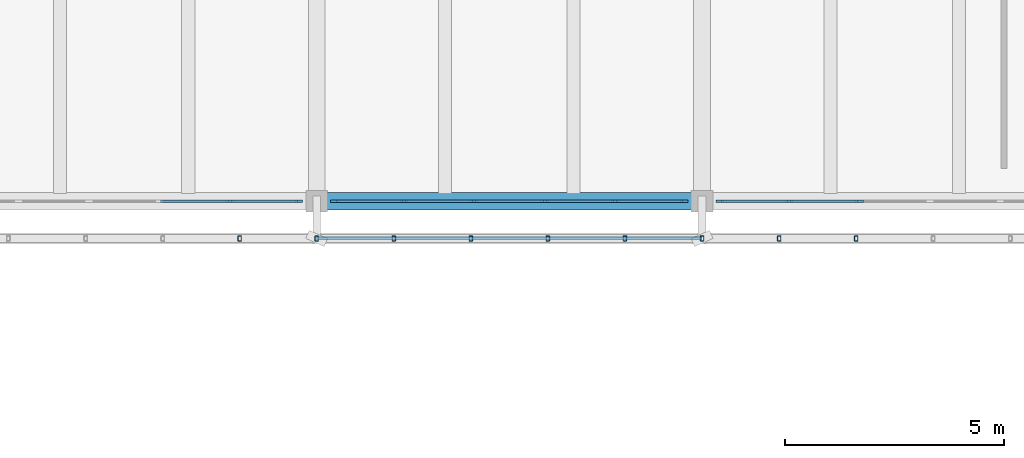
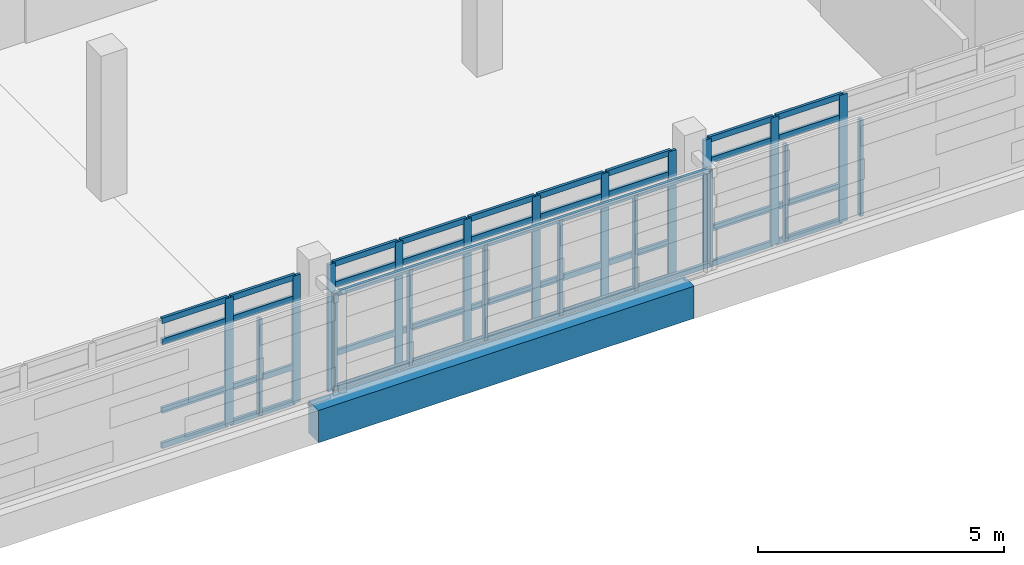
# One storey, part 15 of 50: 58 members, 1 beam, 3 elements without a shape of their own.
"""IFC4 building model written with IfcOpenShell, lengths in metres."""

from ifc_helpers import new_model, si_unit, direction, frame, origin, origin_2d, place, context, subcontext, project, spatial, rectangle, hollow_rectangle, extrude, material, material_profile, profile_set, type_object, element, aggregate, save


model = new_model("IFC4")

# Units and contexts
model_context = context("Model", 3, precision=1e-05, world=origin(), true_north=direction((0.0, 1.0)))
body_context = subcontext(model_context, "Body", "Model", "MODEL_VIEW")
ifc_project = project(units=[si_unit("LENGTHUNIT", "METRE"), si_unit("AREAUNIT", "SQUARE_METRE"), si_unit("VOLUMEUNIT", "CUBIC_METRE"), si_unit("PLANEANGLEUNIT", "RADIAN"), si_unit("MASSUNIT", "GRAM", prefix="KILO")], contexts=[model_context])

# Site, building, storey
site_placement = place(None, origin())
site = spatial("IfcSite", under=ifc_project, at=site_placement, CompositionType="ELEMENT")
building_placement = place(site_placement, origin())
building = spatial("IfcBuilding", under=site, at=building_placement, Name="Cinderway Yard Community Centre", CompositionType="ELEMENT")
storey_placement = place(building_placement, frame((0.0, 0.0, 12.89990234375)))
storey = spatial("IfcBuildingStorey", under=building, at=storey_placement, Name="L03", CompositionType="ELEMENT", Elevation=12.89990234375)

# Curtain wall, members
ifc_material_1 = material(Name="Aluminium 6063-T6", Category="aluminium")
curtain_wall_type = type_object("IfcCurtainWallType", Name="ENV-CW-TYPE-33", PredefinedType="USERDEFINED", material=ifc_material_1)
curtain_wall_1_placement = place(storey_placement, origin())
curtain_wall_1 = element("IfcCurtainWall", 1, at=curtain_wall_1_placement, inside=storey, type_object=curtain_wall_type, Name="V4 Courtyard Curtain Wall ENV-CW-L03-HS-0167", ObjectType="GLAZED CURTAIN WALL", PredefinedType="USERDEFINED")
ifc_material_profile_1 = material_profile(ifc_material_1, rectangle(XDim=0.06494140625, YDim=0.179931640625, at=origin_2d()), Name="Aluminium 6063-T6")
ifc_profile_set_1 = profile_set([ifc_material_profile_1], Name="Aluminium 6063-T6")
member_type_1 = type_object("IfcMemberType", Name="ENV-CW-MULL-180", PredefinedType="MULLION", material=ifc_profile_set_1)
member_1_placement = place(storey_placement, frame((90.81201171875, 90.0, 0.0), z_axis=(0.0, 0.0, 1.0), x_axis=(0.0, 1.0, 0.0)))
member_1 = element("IfcMember", 2, at=member_1_placement, type_object=member_type_1, Name="CW-33 mullion 5", PredefinedType="MULLION", context=body_context, shape_type="SweptSolid", body=[
    extrude(rectangle(XDim=0.06494140625, YDim=0.179931640625, at=origin_2d()), origin(), (0.0, 0.0, 1.0), 3.150146484375),
])
member_2_placement = place(storey_placement, frame((92.389892578125, 90.0, 0.0), z_axis=(0.0, 0.0, 1.0), x_axis=(0.0, 1.0, 0.0)))
member_2 = element("IfcMember", 3, at=member_2_placement, type_object=member_type_1, Name="CW-33 mullion 6", PredefinedType="MULLION", context=body_context, shape_type="SweptSolid", body=[
    extrude(rectangle(XDim=0.06494140625, YDim=0.179931640625, at=origin_2d()), origin(), (0.0, 0.0, 1.0), 3.150146484375),
])

curtain_wall_2_placement = place(storey_placement, origin())
curtain_wall_2 = element("IfcCurtainWall", 4, at=curtain_wall_2_placement, inside=storey, type_object=curtain_wall_type, Name="V4 Courtyard Curtain Wall ENV-CW-L03-HS-0168", ObjectType="GLAZED CURTAIN WALL", PredefinedType="USERDEFINED")
member_3_placement = place(storey_placement, frame((93.2099609375, 90.0, 0.0), z_axis=(0.0, 0.0, 1.0), x_axis=(0.0, 1.0, 0.0)))
member_3 = element("IfcMember", 5, at=member_3_placement, type_object=member_type_1, Name="CW-33 mullion 1", PredefinedType="MULLION", context=body_context, shape_type="SweptSolid", body=[
    extrude(rectangle(XDim=0.06494140625, YDim=0.179931640625, at=origin_2d()), origin(), (0.0, 0.0, 1.0), 3.150146484375),
])
member_4_placement = place(storey_placement, frame((94.7880859375, 90.0, 0.0), z_axis=(0.0, 0.0, 1.0), x_axis=(0.0, 1.0, 0.0)))
member_4 = element("IfcMember", 6, at=member_4_placement, type_object=member_type_1, Name="CW-33 mullion 2", PredefinedType="MULLION", context=body_context, shape_type="SweptSolid", body=[
    extrude(rectangle(XDim=0.06494140625, YDim=0.179931640625, at=origin_2d()), origin(), (0.0, 0.0, 1.0), 3.150146484375),
])
member_5_placement = place(storey_placement, frame((96.39599609375, 90.0, 0.0), z_axis=(0.0, 0.0, 1.0), x_axis=(0.0, 1.0, 0.0)))
member_5 = element("IfcMember", 7, at=member_5_placement, type_object=member_type_1, Name="CW-33 mullion 3", PredefinedType="MULLION", context=body_context, shape_type="SweptSolid", body=[
    extrude(rectangle(XDim=0.06494140625, YDim=0.179931640625, at=origin_2d()), origin(), (0.0, 0.0, 1.0), 3.150146484375),
])
member_6_placement = place(storey_placement, frame((98.00390625, 90.0, 0.0), z_axis=(0.0, 0.0, 1.0), x_axis=(0.0, 1.0, 0.0)))
member_6 = element("IfcMember", 8, at=member_6_placement, type_object=member_type_1, Name="CW-33 mullion 4", PredefinedType="MULLION", context=body_context, shape_type="SweptSolid", body=[
    extrude(rectangle(XDim=0.06494140625, YDim=0.179931640625, at=origin_2d()), origin(), (0.0, 0.0, 1.0), 3.150146484375),
])
member_7_placement = place(storey_placement, frame((99.612060546875, 90.0, 0.0), z_axis=(0.0, 0.0, 1.0), x_axis=(0.0, 1.0, 0.0)))
member_7 = element("IfcMember", 9, at=member_7_placement, type_object=member_type_1, Name="CW-33 mullion 5", PredefinedType="MULLION", context=body_context, shape_type="SweptSolid", body=[
    extrude(rectangle(XDim=0.06494140625, YDim=0.179931640625, at=origin_2d()), origin(), (0.0, 0.0, 1.0), 3.150146484375),
])
member_8_placement = place(storey_placement, frame((101.18994140625, 90.0, 0.0), z_axis=(0.0, 0.0, 1.0), x_axis=(0.0, 1.0, 0.0)))
member_8 = element("IfcMember", 10, at=member_8_placement, type_object=member_type_1, Name="CW-33 mullion 6", PredefinedType="MULLION", context=body_context, shape_type="SweptSolid", body=[
    extrude(rectangle(XDim=0.06494140625, YDim=0.179931640625, at=origin_2d()), origin(), (0.0, 0.0, 1.0), 3.150146484375),
])

curtain_wall_3_placement = place(storey_placement, origin())
curtain_wall_3 = element("IfcCurtainWall", 11, at=curtain_wall_3_placement, inside=storey, type_object=curtain_wall_type, Name="V4 Courtyard Curtain Wall ENV-CW-L03-HS-0170", ObjectType="GLAZED CURTAIN WALL", PredefinedType="USERDEFINED")
member_9_placement = place(storey_placement, frame((102.010009765625, 90.0, 0.0), z_axis=(0.0, 0.0, 1.0), x_axis=(0.0, 1.0, 0.0)))
member_9 = element("IfcMember", 12, at=member_9_placement, type_object=member_type_1, Name="CW-33 mullion 1", PredefinedType="MULLION", context=body_context, shape_type="SweptSolid", body=[
    extrude(rectangle(XDim=0.06494140625, YDim=0.179931640625, at=origin_2d()), origin(), (0.0, 0.0, 1.0), 3.150146484375),
])
member_10_placement = place(storey_placement, frame((103.587890625, 90.0, 0.0), z_axis=(0.0, 0.0, 1.0), x_axis=(0.0, 1.0, 0.0)))
member_10 = element("IfcMember", 13, at=member_10_placement, type_object=member_type_1, Name="CW-33 mullion 2", PredefinedType="MULLION", context=body_context, shape_type="SweptSolid", body=[
    extrude(rectangle(XDim=0.06494140625, YDim=0.179931640625, at=origin_2d()), origin(), (0.0, 0.0, 1.0), 3.150146484375),
])
member_11_placement = place(storey_placement, frame((105.196044921875, 90.0, 0.0), z_axis=(0.0, 0.0, 1.0), x_axis=(0.0, 1.0, 0.0)))
member_11 = element("IfcMember", 14, at=member_11_placement, type_object=member_type_1, Name="CW-33 mullion 3", PredefinedType="MULLION", context=body_context, shape_type="SweptSolid", body=[
    extrude(rectangle(XDim=0.06494140625, YDim=0.179931640625, at=origin_2d()), origin(), (0.0, 0.0, 1.0), 3.150146484375),
])

# Member
ifc_material_profile_2 = material_profile(ifc_material_1, rectangle(XDim=0.06494140625, YDim=0.139892578125, at=origin_2d()), Name="Aluminium 6063-T6")
ifc_profile_set_2 = profile_set([ifc_material_profile_2], Name="Aluminium 6063-T6")
member_type_2 = type_object("IfcMemberType", Name="ENV-CW-TRAN-140", PredefinedType="USERDEFINED", material=ifc_profile_set_2)
member_12_placement = place(storey_placement, frame((89.23388671875, 90.0, 0.030029296875), z_axis=(1.0, 0.0, 0.0), x_axis=(0.0, 1.0, 0.0)))
member_12 = element("IfcMember", 15, at=member_12_placement, type_object=member_type_2, Name="CW-33 transom 4.1", ObjectType="TRANSOM", PredefinedType="USERDEFINED", context=body_context, shape_type="SweptSolid", body=[
    extrude(rectangle(XDim=0.06494140625, YDim=0.139892578125, at=origin_2d()), origin(), (0.0, 0.0, 1.0), 1.548095703125),
])

member_13_placement = place(storey_placement, frame((89.23388671875, 90.0, 0.900146484375), z_axis=(1.0, 0.0, 0.0), x_axis=(0.0, 1.0, 0.0)))
member_13 = element("IfcMember", 16, at=member_13_placement, type_object=member_type_2, Name="CW-33 transom 4.2", ObjectType="TRANSOM", PredefinedType="USERDEFINED", context=body_context, shape_type="SweptSolid", body=[
    extrude(rectangle(XDim=0.06494140625, YDim=0.139892578125, at=origin_2d()), origin(), (0.0, 0.0, 1.0), 1.548095703125),
])

member_14_placement = place(storey_placement, frame((89.23388671875, 90.0, 2.60009765625), z_axis=(1.0, 0.0, 0.0), x_axis=(0.0, 1.0, 0.0)))
member_14 = element("IfcMember", 17, at=member_14_placement, type_object=member_type_2, Name="CW-33 transom 4.3", ObjectType="TRANSOM", PredefinedType="USERDEFINED", context=body_context, shape_type="SweptSolid", body=[
    extrude(rectangle(XDim=0.06494140625, YDim=0.139892578125, at=origin_2d()), origin(), (0.0, 0.0, 1.0), 1.548095703125),
])

member_15_placement = place(storey_placement, frame((89.23388671875, 90.0, 3.1201171875), z_axis=(1.0, 0.0, 0.0), x_axis=(0.0, 1.0, 0.0)))
member_15 = element("IfcMember", 18, at=member_15_placement, type_object=member_type_2, Name="CW-33 transom 4.4", ObjectType="TRANSOM", PredefinedType="USERDEFINED", context=body_context, shape_type="SweptSolid", body=[
    extrude(rectangle(XDim=0.06494140625, YDim=0.139892578125, at=origin_2d()), origin(), (0.0, 0.0, 1.0), 1.548095703125),
])

member_16_placement = place(storey_placement, frame((90.842041015625, 90.0, 0.030029296875), z_axis=(1.0, 0.0, 0.0), x_axis=(0.0, 1.0, 0.0)))
member_16 = element("IfcMember", 19, at=member_16_placement, type_object=member_type_2, Name="CW-33 transom 5.1", ObjectType="TRANSOM", PredefinedType="USERDEFINED", context=body_context, shape_type="SweptSolid", body=[
    extrude(rectangle(XDim=0.06494140625, YDim=0.139892578125, at=origin_2d()), origin(), (0.0, 0.0, 1.0), 1.51806640625),
])

member_17_placement = place(storey_placement, frame((90.842041015625, 90.0, 0.900146484375), z_axis=(1.0, 0.0, 0.0), x_axis=(0.0, 1.0, 0.0)))
member_17 = element("IfcMember", 20, at=member_17_placement, type_object=member_type_2, Name="CW-33 transom 5.2", ObjectType="TRANSOM", PredefinedType="USERDEFINED", context=body_context, shape_type="SweptSolid", body=[
    extrude(rectangle(XDim=0.06494140625, YDim=0.139892578125, at=origin_2d()), origin(), (0.0, 0.0, 1.0), 1.51806640625),
])

member_18_placement = place(storey_placement, frame((90.842041015625, 90.0, 2.60009765625), z_axis=(1.0, 0.0, 0.0), x_axis=(0.0, 1.0, 0.0)))
member_18 = element("IfcMember", 21, at=member_18_placement, type_object=member_type_2, Name="CW-33 transom 5.3", ObjectType="TRANSOM", PredefinedType="USERDEFINED", context=body_context, shape_type="SweptSolid", body=[
    extrude(rectangle(XDim=0.06494140625, YDim=0.139892578125, at=origin_2d()), origin(), (0.0, 0.0, 1.0), 1.51806640625),
])

member_19_placement = place(storey_placement, frame((90.842041015625, 90.0, 3.1201171875), z_axis=(1.0, 0.0, 0.0), x_axis=(0.0, 1.0, 0.0)))
member_19 = element("IfcMember", 22, at=member_19_placement, type_object=member_type_2, Name="CW-33 transom 5.4", ObjectType="TRANSOM", PredefinedType="USERDEFINED", context=body_context, shape_type="SweptSolid", body=[
    extrude(rectangle(XDim=0.06494140625, YDim=0.139892578125, at=origin_2d()), origin(), (0.0, 0.0, 1.0), 1.51806640625),
])

aggregate(curtain_wall_1, [member_1, member_2, member_12, member_13, member_14, member_15, member_16, member_17, member_18, member_19])

member_20_placement = place(storey_placement, frame((93.239990234375, 90.0, 0.030029296875), z_axis=(1.0, 0.0, 0.0), x_axis=(0.0, 1.0, 0.0)))
member_20 = element("IfcMember", 23, at=member_20_placement, type_object=member_type_2, Name="CW-33 transom 1.1", ObjectType="TRANSOM", PredefinedType="USERDEFINED", context=body_context, shape_type="SweptSolid", body=[
    extrude(rectangle(XDim=0.06494140625, YDim=0.139892578125, at=origin_2d()), origin(), (0.0, 0.0, 1.0), 1.51806640625),
])

member_21_placement = place(storey_placement, frame((93.239990234375, 90.0, 0.900146484375), z_axis=(1.0, 0.0, 0.0), x_axis=(0.0, 1.0, 0.0)))
member_21 = element("IfcMember", 24, at=member_21_placement, type_object=member_type_2, Name="CW-33 transom 1.2", ObjectType="TRANSOM", PredefinedType="USERDEFINED", context=body_context, shape_type="SweptSolid", body=[
    extrude(rectangle(XDim=0.06494140625, YDim=0.139892578125, at=origin_2d()), origin(), (0.0, 0.0, 1.0), 1.51806640625),
])

member_22_placement = place(storey_placement, frame((93.239990234375, 90.0, 2.60009765625), z_axis=(1.0, 0.0, 0.0), x_axis=(0.0, 1.0, 0.0)))
member_22 = element("IfcMember", 25, at=member_22_placement, type_object=member_type_2, Name="CW-33 transom 1.3", ObjectType="TRANSOM", PredefinedType="USERDEFINED", context=body_context, shape_type="SweptSolid", body=[
    extrude(rectangle(XDim=0.06494140625, YDim=0.139892578125, at=origin_2d()), origin(), (0.0, 0.0, 1.0), 1.51806640625),
])

member_23_placement = place(storey_placement, frame((93.239990234375, 90.0, 3.1201171875), z_axis=(1.0, 0.0, 0.0), x_axis=(0.0, 1.0, 0.0)))
member_23 = element("IfcMember", 26, at=member_23_placement, type_object=member_type_2, Name="CW-33 transom 1.4", ObjectType="TRANSOM", PredefinedType="USERDEFINED", context=body_context, shape_type="SweptSolid", body=[
    extrude(rectangle(XDim=0.06494140625, YDim=0.139892578125, at=origin_2d()), origin(), (0.0, 0.0, 1.0), 1.51806640625),
])

member_24_placement = place(storey_placement, frame((94.818115234375, 90.0, 0.030029296875), z_axis=(1.0, 0.0, 0.0), x_axis=(0.0, 1.0, 0.0)))
member_24 = element("IfcMember", 27, at=member_24_placement, type_object=member_type_2, Name="CW-33 transom 2.1", ObjectType="TRANSOM", PredefinedType="USERDEFINED", context=body_context, shape_type="SweptSolid", body=[
    extrude(rectangle(XDim=0.06494140625, YDim=0.139892578125, at=origin_2d()), origin(), (0.0, 0.0, 1.0), 1.5478515625),
])

member_25_placement = place(storey_placement, frame((94.818115234375, 90.0, 0.900146484375), z_axis=(1.0, 0.0, 0.0), x_axis=(0.0, 1.0, 0.0)))
member_25 = element("IfcMember", 28, at=member_25_placement, type_object=member_type_2, Name="CW-33 transom 2.2", ObjectType="TRANSOM", PredefinedType="USERDEFINED", context=body_context, shape_type="SweptSolid", body=[
    extrude(rectangle(XDim=0.06494140625, YDim=0.139892578125, at=origin_2d()), origin(), (0.0, 0.0, 1.0), 1.5478515625),
])

member_26_placement = place(storey_placement, frame((94.818115234375, 90.0, 2.60009765625), z_axis=(1.0, 0.0, 0.0), x_axis=(0.0, 1.0, 0.0)))
member_26 = element("IfcMember", 29, at=member_26_placement, type_object=member_type_2, Name="CW-33 transom 2.3", ObjectType="TRANSOM", PredefinedType="USERDEFINED", context=body_context, shape_type="SweptSolid", body=[
    extrude(rectangle(XDim=0.06494140625, YDim=0.139892578125, at=origin_2d()), origin(), (0.0, 0.0, 1.0), 1.5478515625),
])

member_27_placement = place(storey_placement, frame((94.818115234375, 90.0, 3.1201171875), z_axis=(1.0, 0.0, 0.0), x_axis=(0.0, 1.0, 0.0)))
member_27 = element("IfcMember", 30, at=member_27_placement, type_object=member_type_2, Name="CW-33 transom 2.4", ObjectType="TRANSOM", PredefinedType="USERDEFINED", context=body_context, shape_type="SweptSolid", body=[
    extrude(rectangle(XDim=0.06494140625, YDim=0.139892578125, at=origin_2d()), origin(), (0.0, 0.0, 1.0), 1.5478515625),
])

member_28_placement = place(storey_placement, frame((96.426025390625, 90.0, 0.030029296875), z_axis=(1.0, 0.0, 0.0), x_axis=(0.0, 1.0, 0.0)))
member_28 = element("IfcMember", 31, at=member_28_placement, type_object=member_type_2, Name="CW-33 transom 3.1", ObjectType="TRANSOM", PredefinedType="USERDEFINED", context=body_context, shape_type="SweptSolid", body=[
    extrude(rectangle(XDim=0.06494140625, YDim=0.139892578125, at=origin_2d()), origin(), (0.0, 0.0, 1.0), 1.548095703125),
])

member_29_placement = place(storey_placement, frame((96.426025390625, 90.0, 0.900146484375), z_axis=(1.0, 0.0, 0.0), x_axis=(0.0, 1.0, 0.0)))
member_29 = element("IfcMember", 32, at=member_29_placement, type_object=member_type_2, Name="CW-33 transom 3.2", ObjectType="TRANSOM", PredefinedType="USERDEFINED", context=body_context, shape_type="SweptSolid", body=[
    extrude(rectangle(XDim=0.06494140625, YDim=0.139892578125, at=origin_2d()), origin(), (0.0, 0.0, 1.0), 1.548095703125),
])

member_30_placement = place(storey_placement, frame((96.426025390625, 90.0, 2.60009765625), z_axis=(1.0, 0.0, 0.0), x_axis=(0.0, 1.0, 0.0)))
member_30 = element("IfcMember", 33, at=member_30_placement, type_object=member_type_2, Name="CW-33 transom 3.3", ObjectType="TRANSOM", PredefinedType="USERDEFINED", context=body_context, shape_type="SweptSolid", body=[
    extrude(rectangle(XDim=0.06494140625, YDim=0.139892578125, at=origin_2d()), origin(), (0.0, 0.0, 1.0), 1.548095703125),
])

member_31_placement = place(storey_placement, frame((96.426025390625, 90.0, 3.1201171875), z_axis=(1.0, 0.0, 0.0), x_axis=(0.0, 1.0, 0.0)))
member_31 = element("IfcMember", 34, at=member_31_placement, type_object=member_type_2, Name="CW-33 transom 3.4", ObjectType="TRANSOM", PredefinedType="USERDEFINED", context=body_context, shape_type="SweptSolid", body=[
    extrude(rectangle(XDim=0.06494140625, YDim=0.139892578125, at=origin_2d()), origin(), (0.0, 0.0, 1.0), 1.548095703125),
])

member_32_placement = place(storey_placement, frame((98.033935546875, 90.0, 0.030029296875), z_axis=(1.0, 0.0, 0.0), x_axis=(0.0, 1.0, 0.0)))
member_32 = element("IfcMember", 35, at=member_32_placement, type_object=member_type_2, Name="CW-33 transom 4.1", ObjectType="TRANSOM", PredefinedType="USERDEFINED", context=body_context, shape_type="SweptSolid", body=[
    extrude(rectangle(XDim=0.06494140625, YDim=0.139892578125, at=origin_2d()), origin(), (0.0, 0.0, 1.0), 1.548095703125),
])

member_33_placement = place(storey_placement, frame((98.033935546875, 90.0, 0.900146484375), z_axis=(1.0, 0.0, 0.0), x_axis=(0.0, 1.0, 0.0)))
member_33 = element("IfcMember", 36, at=member_33_placement, type_object=member_type_2, Name="CW-33 transom 4.2", ObjectType="TRANSOM", PredefinedType="USERDEFINED", context=body_context, shape_type="SweptSolid", body=[
    extrude(rectangle(XDim=0.06494140625, YDim=0.139892578125, at=origin_2d()), origin(), (0.0, 0.0, 1.0), 1.548095703125),
])

member_34_placement = place(storey_placement, frame((98.033935546875, 90.0, 2.60009765625), z_axis=(1.0, 0.0, 0.0), x_axis=(0.0, 1.0, 0.0)))
member_34 = element("IfcMember", 37, at=member_34_placement, type_object=member_type_2, Name="CW-33 transom 4.3", ObjectType="TRANSOM", PredefinedType="USERDEFINED", context=body_context, shape_type="SweptSolid", body=[
    extrude(rectangle(XDim=0.06494140625, YDim=0.139892578125, at=origin_2d()), origin(), (0.0, 0.0, 1.0), 1.548095703125),
])

member_35_placement = place(storey_placement, frame((98.033935546875, 90.0, 3.1201171875), z_axis=(1.0, 0.0, 0.0), x_axis=(0.0, 1.0, 0.0)))
member_35 = element("IfcMember", 38, at=member_35_placement, type_object=member_type_2, Name="CW-33 transom 4.4", ObjectType="TRANSOM", PredefinedType="USERDEFINED", context=body_context, shape_type="SweptSolid", body=[
    extrude(rectangle(XDim=0.06494140625, YDim=0.139892578125, at=origin_2d()), origin(), (0.0, 0.0, 1.0), 1.548095703125),
])

member_36_placement = place(storey_placement, frame((99.64208984375, 90.0, 0.030029296875), z_axis=(1.0, 0.0, 0.0), x_axis=(0.0, 1.0, 0.0)))
member_36 = element("IfcMember", 39, at=member_36_placement, type_object=member_type_2, Name="CW-33 transom 5.1", ObjectType="TRANSOM", PredefinedType="USERDEFINED", context=body_context, shape_type="SweptSolid", body=[
    extrude(rectangle(XDim=0.06494140625, YDim=0.139892578125, at=origin_2d()), origin(), (0.0, 0.0, 1.0), 1.517822265625),
])

member_37_placement = place(storey_placement, frame((99.64208984375, 90.0, 0.900146484375), z_axis=(1.0, 0.0, 0.0), x_axis=(0.0, 1.0, 0.0)))
member_37 = element("IfcMember", 40, at=member_37_placement, type_object=member_type_2, Name="CW-33 transom 5.2", ObjectType="TRANSOM", PredefinedType="USERDEFINED", context=body_context, shape_type="SweptSolid", body=[
    extrude(rectangle(XDim=0.06494140625, YDim=0.139892578125, at=origin_2d()), origin(), (0.0, 0.0, 1.0), 1.517822265625),
])

member_38_placement = place(storey_placement, frame((99.64208984375, 90.0, 2.60009765625), z_axis=(1.0, 0.0, 0.0), x_axis=(0.0, 1.0, 0.0)))
member_38 = element("IfcMember", 41, at=member_38_placement, type_object=member_type_2, Name="CW-33 transom 5.3", ObjectType="TRANSOM", PredefinedType="USERDEFINED", context=body_context, shape_type="SweptSolid", body=[
    extrude(rectangle(XDim=0.06494140625, YDim=0.139892578125, at=origin_2d()), origin(), (0.0, 0.0, 1.0), 1.517822265625),
])

member_39_placement = place(storey_placement, frame((99.64208984375, 90.0, 3.1201171875), z_axis=(1.0, 0.0, 0.0), x_axis=(0.0, 1.0, 0.0)))
member_39 = element("IfcMember", 42, at=member_39_placement, type_object=member_type_2, Name="CW-33 transom 5.4", ObjectType="TRANSOM", PredefinedType="USERDEFINED", context=body_context, shape_type="SweptSolid", body=[
    extrude(rectangle(XDim=0.06494140625, YDim=0.139892578125, at=origin_2d()), origin(), (0.0, 0.0, 1.0), 1.517822265625),
])

aggregate(curtain_wall_2, [member_3, member_4, member_5, member_6, member_7, member_8, member_20, member_21, member_22, member_23, member_24, member_25, member_26, member_27, member_28, member_29, member_30, member_31, member_32, member_33, member_34, member_35, member_36, member_37, member_38, member_39])

member_40_placement = place(storey_placement, frame((102.0400390625, 90.0, 0.030029296875), z_axis=(1.0, 0.0, 0.0), x_axis=(0.0, 1.0, 0.0)))
member_40 = element("IfcMember", 43, at=member_40_placement, type_object=member_type_2, Name="CW-33 transom 1.1", ObjectType="TRANSOM", PredefinedType="USERDEFINED", context=body_context, shape_type="SweptSolid", body=[
    extrude(rectangle(XDim=0.06494140625, YDim=0.139892578125, at=origin_2d()), origin(), (0.0, 0.0, 1.0), 1.51806640625),
])

member_41_placement = place(storey_placement, frame((102.0400390625, 90.0, 0.900146484375), z_axis=(1.0, 0.0, 0.0), x_axis=(0.0, 1.0, 0.0)))
member_41 = element("IfcMember", 44, at=member_41_placement, type_object=member_type_2, Name="CW-33 transom 1.2", ObjectType="TRANSOM", PredefinedType="USERDEFINED", context=body_context, shape_type="SweptSolid", body=[
    extrude(rectangle(XDim=0.06494140625, YDim=0.139892578125, at=origin_2d()), origin(), (0.0, 0.0, 1.0), 1.51806640625),
])

member_42_placement = place(storey_placement, frame((102.0400390625, 90.0, 2.60009765625), z_axis=(1.0, 0.0, 0.0), x_axis=(0.0, 1.0, 0.0)))
member_42 = element("IfcMember", 45, at=member_42_placement, type_object=member_type_2, Name="CW-33 transom 1.3", ObjectType="TRANSOM", PredefinedType="USERDEFINED", context=body_context, shape_type="SweptSolid", body=[
    extrude(rectangle(XDim=0.06494140625, YDim=0.139892578125, at=origin_2d()), origin(), (0.0, 0.0, 1.0), 1.51806640625),
])

member_43_placement = place(storey_placement, frame((102.0400390625, 90.0, 3.1201171875), z_axis=(1.0, 0.0, 0.0), x_axis=(0.0, 1.0, 0.0)))
member_43 = element("IfcMember", 46, at=member_43_placement, type_object=member_type_2, Name="CW-33 transom 1.4", ObjectType="TRANSOM", PredefinedType="USERDEFINED", context=body_context, shape_type="SweptSolid", body=[
    extrude(rectangle(XDim=0.06494140625, YDim=0.139892578125, at=origin_2d()), origin(), (0.0, 0.0, 1.0), 1.51806640625),
])

member_44_placement = place(storey_placement, frame((103.617919921875, 90.0, 0.030029296875), z_axis=(1.0, 0.0, 0.0), x_axis=(0.0, 1.0, 0.0)))
member_44 = element("IfcMember", 47, at=member_44_placement, type_object=member_type_2, Name="CW-33 transom 2.1", ObjectType="TRANSOM", PredefinedType="USERDEFINED", context=body_context, shape_type="SweptSolid", body=[
    extrude(rectangle(XDim=0.06494140625, YDim=0.139892578125, at=origin_2d()), origin(), (0.0, 0.0, 1.0), 1.548095703125),
])

member_45_placement = place(storey_placement, frame((103.617919921875, 90.0, 0.900146484375), z_axis=(1.0, 0.0, 0.0), x_axis=(0.0, 1.0, 0.0)))
member_45 = element("IfcMember", 48, at=member_45_placement, type_object=member_type_2, Name="CW-33 transom 2.2", ObjectType="TRANSOM", PredefinedType="USERDEFINED", context=body_context, shape_type="SweptSolid", body=[
    extrude(rectangle(XDim=0.06494140625, YDim=0.139892578125, at=origin_2d()), origin(), (0.0, 0.0, 1.0), 1.548095703125),
])

member_46_placement = place(storey_placement, frame((103.617919921875, 90.0, 2.60009765625), z_axis=(1.0, 0.0, 0.0), x_axis=(0.0, 1.0, 0.0)))
member_46 = element("IfcMember", 49, at=member_46_placement, type_object=member_type_2, Name="CW-33 transom 2.3", ObjectType="TRANSOM", PredefinedType="USERDEFINED", context=body_context, shape_type="SweptSolid", body=[
    extrude(rectangle(XDim=0.06494140625, YDim=0.139892578125, at=origin_2d()), origin(), (0.0, 0.0, 1.0), 1.548095703125),
])

member_47_placement = place(storey_placement, frame((103.617919921875, 90.0, 3.1201171875), z_axis=(1.0, 0.0, 0.0), x_axis=(0.0, 1.0, 0.0)))
member_47 = element("IfcMember", 50, at=member_47_placement, type_object=member_type_2, Name="CW-33 transom 2.4", ObjectType="TRANSOM", PredefinedType="USERDEFINED", context=body_context, shape_type="SweptSolid", body=[
    extrude(rectangle(XDim=0.06494140625, YDim=0.139892578125, at=origin_2d()), origin(), (0.0, 0.0, 1.0), 1.548095703125),
])

aggregate(curtain_wall_3, [member_9, member_10, member_11, member_40, member_41, member_42, member_43, member_44, member_45, member_46, member_47])

# Members
ifc_material_2 = material(Name="Steel S355", Category="steel")
ifc_material_profile_3 = material_profile(ifc_material_2, hollow_rectangle(XDim=0.080078125, YDim=0.1201171875, WallThickness=0.00634765625, InnerFilletRadius=0.00634765625, OuterFilletRadius=0.0126953125, at=origin_2d()), Name="Steel S355")
ifc_profile_set_3 = profile_set([ifc_material_profile_3], Name="Steel S355")
member_type_3 = type_object("IfcMemberType", Name="ENV-MEM-SCREEN-RAIL-120", PredefinedType="STRINGER", material=ifc_profile_set_3)
for number, where, z_axis, x_axis, name in (
    (51, (91.0400390625, 89.14990234375, 0.690185546875), (0.0, 0.0, 1.0), (1.0, 0.0, 0.0), "Screen vertical mullion 0525"),
    (52, (92.800048828125, 89.14990234375, 0.690185546875), (0.0, 0.0, 1.0), (1.0, 0.0, 0.0), "Screen vertical mullion 0526"),
):
    element("IfcMember", number, at=place(storey_placement, frame(where, z_axis=z_axis, x_axis=x_axis)), inside=storey, type_object=member_type_3, Name=name, PredefinedType="STRINGER", context=body_context, shape_type="SweptSolid", body=[
        extrude(hollow_rectangle(XDim=0.080078125, YDim=0.1201171875, WallThickness=0.00634765625, InnerFilletRadius=0.00634765625, OuterFilletRadius=0.0126953125, at=origin_2d()), origin(), (0.0, 0.0, 1.0), 2.369873046875),
    ])
for number, where, z_axis, x_axis, name in (
    (53, (92.800048828125, 89.14990234375, 0.710205078125), (1.0, 0.0, 0.0), (0.0, 1.0, 0.0), "Screen support rail 0528-BOT"),
    (54, (92.800048828125, 89.14990234375, 3.0400390625), (1.0, 0.0, 0.0), (0.0, 1.0, 0.0), "Screen support rail 0529-TOP"),
):
    element("IfcMember", number, at=place(storey_placement, frame(where, z_axis=z_axis, x_axis=x_axis)), inside=storey, type_object=member_type_3, Name=name, PredefinedType="STRINGER", context=body_context, shape_type="SweptSolid", body=[
        extrude(hollow_rectangle(XDim=0.080078125, YDim=0.1201171875, WallThickness=0.00634765625, InnerFilletRadius=0.00634765625, OuterFilletRadius=0.0126953125, at=origin_2d()), origin(), (0.0, 0.0, 1.0), 8.800048828125),
    ])
for number, where, z_axis, x_axis, name in (
    (55, (94.56005859375, 89.14990234375, 0.690185546875), (0.0, 0.0, 1.0), (1.0, 0.0, 0.0), "Screen vertical mullion 0530"),
    (56, (96.320068359375, 89.14990234375, 0.690185546875), (0.0, 0.0, 1.0), (1.0, 0.0, 0.0), "Screen vertical mullion 0531"),
    (57, (98.080078125, 89.14990234375, 0.690185546875), (0.0, 0.0, 1.0), (1.0, 0.0, 0.0), "Screen vertical mullion 0532"),
    (58, (99.840087890625, 89.14990234375, 0.690185546875), (0.0, 0.0, 1.0), (1.0, 0.0, 0.0), "Screen vertical mullion 0533"),
    (59, (101.60009765625, 89.14990234375, 0.690185546875), (0.0, 0.0, 1.0), (1.0, 0.0, 0.0), "Screen vertical mullion 0534"),
    (60, (103.360107421875, 89.14990234375, 0.690185546875), (0.0, 0.0, 1.0), (1.0, 0.0, 0.0), "Screen vertical mullion 0538"),
    (61, (105.1201171875, 89.14990234375, 0.690185546875), (0.0, 0.0, 1.0), (1.0, 0.0, 0.0), "Screen vertical mullion 0539"),
):
    element("IfcMember", number, at=place(storey_placement, frame(where, z_axis=z_axis, x_axis=x_axis)), inside=storey, type_object=member_type_3, Name=name, PredefinedType="STRINGER", context=body_context, shape_type="SweptSolid", body=[
        extrude(hollow_rectangle(XDim=0.080078125, YDim=0.1201171875, WallThickness=0.00634765625, InnerFilletRadius=0.00634765625, OuterFilletRadius=0.0126953125, at=origin_2d()), origin(), (0.0, 0.0, 1.0), 2.369873046875),
    ])

# Beam
ifc_material_3 = material(Name="Concrete C40/50", Category="concrete")
ifc_material_profile_4 = material_profile(ifc_material_3, rectangle(XDim=0.39990234375, YDim=0.800048828125, at=origin_2d()), Name="Concrete C40/50")
ifc_profile_set_4 = profile_set([ifc_material_profile_4], Name="Concrete C40/50")
beam_type = type_object("IfcBeamType", Name="STR-BM-RC400X800", PredefinedType="BEAM", material=ifc_profile_set_4)
beam_placement = place(storey_placement, frame((92.800048828125, 90.0, -0.639892578125), z_axis=(1.0, 0.0, 0.0), x_axis=(0.0, 1.0, 0.0)))
element("IfcBeam", 62, at=beam_placement, inside=storey, type_object=beam_type, Name="Primary girder STR-BM-L03-BG05-0676", PredefinedType="BEAM", context=body_context, shape_type="SweptSolid", body=[
    extrude(rectangle(XDim=0.39990234375, YDim=0.800048828125, at=origin_2d()), origin(), (0.0, 0.0, 1.0), 8.800048828125),
])

save(model, "model.ifc")
